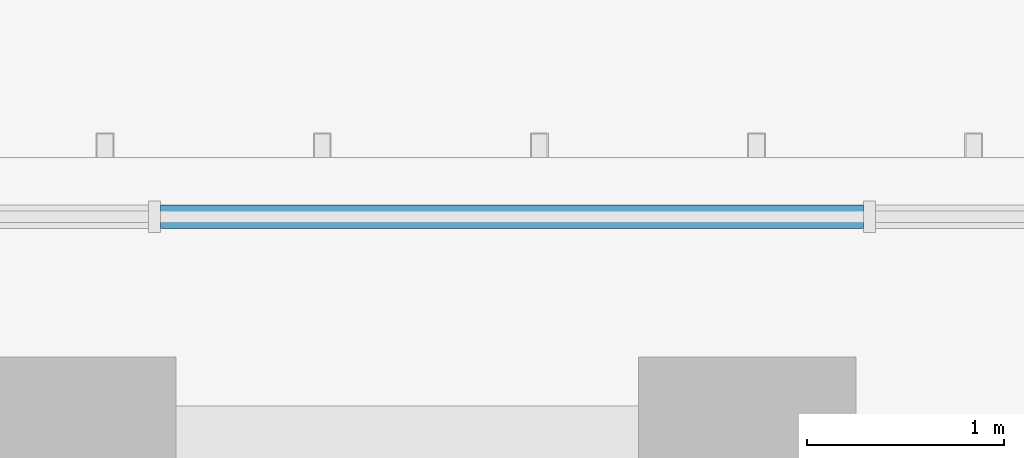
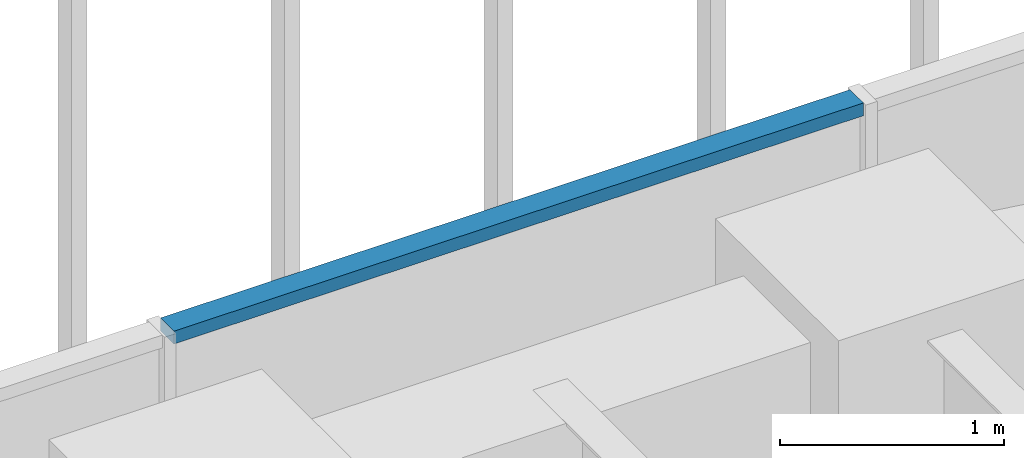
# One storey, part 101 of 127: 1 member, 1 element without a shape of its own.
"""IFC4 building model written with IfcOpenShell, lengths in metres."""

import ifcopenshell
import ifcopenshell.guid

model = None  # the IFC model being written
_history = None  # IfcOwnerHistory: only IFC2X3 demands one
_inside = {}  # id of a spatial element -> (the spatial element, [elements in it])
_under = {}  # id of a project, library or spatial element -> (it, [spatial elements below it])
_declared = {}  # id of a project -> (the project, [libraries it declares])
_typed = {}  # id of a type object -> (the type object, [elements of that type])
_made_of = {}  # id of a material, layer set ... -> (it, [elements and type objects made of it])


def new_model(schema):
    """Start an empty IFC model of exactly this schema.

    Asked for "IFC4X3", IfcOpenShell would pick the latest addendum, in which some entities
    have other attributes; the version numbers below select the first issue.
    IFC2X3 requires an IfcOwnerHistory on every rooted entity: one is made here for all.
    """
    global model, _history
    if schema == "IFC4X3":
        model = ifcopenshell.file(schema_version=(4, 3, 0, 0))
    else:
        model = ifcopenshell.file(schema=schema)
    _inside.clear()
    _under.clear()
    _declared.clear()
    _typed.clear()
    _made_of.clear()
    _history = None
    if model.schema == "IFC2X3":
        org = make("IfcOrganization", Name="unknown")
        user = make(
            "IfcPersonAndOrganization",
            ThePerson=make("IfcPerson", FamilyName="unknown"),
            TheOrganization=org,
        )
        app = make(
            "IfcApplication",
            ApplicationDeveloper=org,
            Version="unknown",
            ApplicationFullName="unknown",
            ApplicationIdentifier="unknown",
        )
        _history = make(
            "IfcOwnerHistory",
            OwningUser=user,
            OwningApplication=app,
            ChangeAction="ADDED",
            CreationDate=0,
        )
    return model


def make(cls, **values):
    """One entity of the class cls with the attributes given. An attribute that is None is left unset."""
    return model.create_entity(
        cls, **{name: value for name, value in values.items() if value is not None}
    )


def rooted(cls, **values):
    """An entity with a GlobalId (a new one), such as an element, a storey or a relation."""
    return make(cls, GlobalId=ifcopenshell.guid.new(), OwnerHistory=_history, **values)


def si_unit(unit_type, name, prefix=None):
    """IfcSIUnit, for example si_unit("LENGTHUNIT", "METRE", prefix="MILLI")."""
    return make("IfcSIUnit", UnitType=unit_type, Prefix=prefix, Name=name)


def assignment(units):
    """IfcUnitAssignment: the units of a project."""
    return None if units is None else make("IfcUnitAssignment", Units=units)


def point(xyz):
    """IfcCartesianPoint."""
    return None if xyz is None else make("IfcCartesianPoint", Coordinates=xyz)


def direction(xyz):
    """IfcDirection."""
    return None if xyz is None else make("IfcDirection", DirectionRatios=xyz)


def frame(location, z_axis=None, x_axis=None):
    """IfcAxis2Placement3D, a coordinate frame: its origin and axes. An axis left out is left unset."""
    return make(
        "IfcAxis2Placement3D",
        Location=point(location),
        Axis=direction(z_axis),
        RefDirection=direction(x_axis),
    )


def frame_2d(location, x_axis=None):
    """IfcAxis2Placement2D, a coordinate frame in the plane: its origin and x axis."""
    return make(
        "IfcAxis2Placement2D", Location=point(location), RefDirection=direction(x_axis)
    )


def origin():
    """The frame at (0, 0, 0) with its axes left unset."""
    return frame((0.0, 0.0, 0.0))


def origin_2d():
    """The frame at (0, 0) in the plane with its x axis left unset."""
    return frame_2d((0.0, 0.0))


def place(relative_to, where):
    """IfcLocalPlacement: puts the frame where relative to a parent placement (None: the world)."""
    return make(
        "IfcLocalPlacement", PlacementRelTo=relative_to, RelativePlacement=where
    )


def context(
    kind, dimensions, precision=None, world=None, true_north=None, identifier=None
):
    """IfcGeometricRepresentationContext, for example the 3D "Model" context."""
    return make(
        "IfcGeometricRepresentationContext",
        ContextIdentifier=identifier,
        ContextType=kind,
        CoordinateSpaceDimension=dimensions,
        Precision=precision,
        WorldCoordinateSystem=world,
        TrueNorth=true_north,
    )


def subcontext(parent, identifier, kind, view, scale=None):
    """IfcGeometricRepresentationSubContext, for example "Body" below "Model"."""
    return make(
        "IfcGeometricRepresentationSubContext",
        ContextIdentifier=identifier,
        ContextType=kind,
        ParentContext=parent,
        TargetScale=scale,
        TargetView=view,
    )


def project(units=None, contexts=None):
    """IfcProject with its units and contexts."""
    return rooted(
        "IfcProject",
        Name="project",
        RepresentationContexts=contexts,
        UnitsInContext=assignment(units),
    )


def spatial(cls, under=None, at=None, **own):
    """A site, building, storey or space (cls), placed at a placement, below another one or the project."""
    s = rooted(cls, ObjectPlacement=at, **own)
    if under is not None:
        _under.setdefault(under.id(), (under, []))[1].append(s)
    return s


def profile(cls, at=None, kind="AREA", **sizes):
    """A parametric profile (cls). Its sizes go by their IFC names, for example OverallWidth=200.0."""
    return make(cls, ProfileType=kind, Position=at, **sizes)


def rectangle(**sizes):
    """IfcRectangleProfileDef."""
    return profile("IfcRectangleProfileDef", **sizes)


def extrude(swept, where, along, depth):
    """IfcExtrudedAreaSolid: the profile swept, set in the frame where, extruded along a direction by depth."""
    return make(
        "IfcExtrudedAreaSolid",
        SweptArea=swept,
        Position=where,
        ExtrudedDirection=direction(along),
        Depth=depth,
    )


def shape(context_of_items, identifier, shape_type, items):
    """IfcShapeRepresentation: the items that make up one representation, for example the "Body"."""
    return make(
        "IfcShapeRepresentation",
        ContextOfItems=context_of_items,
        RepresentationIdentifier=identifier,
        RepresentationType=shape_type,
        Items=items,
    )


def material(Name=None, Category=None):
    """IfcMaterial."""
    return make("IfcMaterial", Name=Name, Category=Category)


def material_profile(
    of_material, cross_section, Name=None, Category=None, Priority=None
):
    """IfcMaterialProfile: a cross section and its material."""
    return make(
        "IfcMaterialProfile",
        Name=Name,
        Material=of_material,
        Profile=cross_section,
        Priority=Priority,
        Category=Category,
    )


def profile_set(profiles, Name=None, composite=None):
    """IfcMaterialProfileSet."""
    return make(
        "IfcMaterialProfileSet",
        Name=Name,
        MaterialProfiles=profiles,
        CompositeProfile=composite,
    )


def made_of(thing, what):
    """Note that an element or type object is made of a material, layer set ...; save() writes the relation."""
    if what is not None:
        _made_of.setdefault(what.id(), (what, []))[1].append(thing)
    return thing


def type_object(cls, material=None, **own):
    """A type object (cls), such as IfcWallType, which elements share."""
    return made_of(rooted(cls, **own), material)


def element(
    cls,
    number,
    at=None,
    inside=None,
    cuts=None,
    type_object=None,
    material=None,
    context=None,
    identifier="Body",
    shape_type=None,
    held_by="IfcProductDefinitionShape",
    body=None,
    shapes=None,
    **own,
):
    """One element of the class cls, such as IfcWall. Its Tag is "e" and its number.

    at: its placement. inside: the storey or other place that contains it. cuts: it is an
    opening in that element (IfcRelVoidsElement). A single representation is given by context,
    identifier, shape_type and body (its items); several are given by shapes. held_by: the class
    of the entity that holds the representations. save() writes the other relations.
    """
    e = rooted(cls, Tag="e%d" % number, ObjectPlacement=at, **own)
    if body is not None:
        shapes = [shape(context, identifier, shape_type, body)]
    if shapes is not None:
        e.Representation = make(held_by, Representations=shapes)
    if inside is not None:
        _inside.setdefault(inside.id(), (inside, []))[1].append(e)
    if cuts is not None:
        rooted(
            "IfcRelVoidsElement", RelatingBuildingElement=cuts, RelatedOpeningElement=e
        )
    if type_object is not None:
        _typed.setdefault(type_object.id(), (type_object, []))[1].append(e)
    return made_of(e, material)


def aggregate(whole, parts):
    """IfcRelAggregates: a whole, such as a stair, and the parts it consists of."""
    return rooted("IfcRelAggregates", RelatingObject=whole, RelatedObjects=parts)


def save(model, path):
    """Write the relations noted so far, then the file.

    IfcRelAggregates (storeys below a building ...), IfcRelContainedInSpatialStructure (elements
    in a storey), IfcRelDefinesByType, IfcRelAssociatesMaterial and IfcRelDeclares: one each for
    every whole, place, type object, material and project.
    """
    for whole, parts in _under.values():
        aggregate(whole, parts)
    for where, things in _inside.values():
        rooted(
            "IfcRelContainedInSpatialStructure",
            RelatedElements=things,
            RelatingStructure=where,
        )
    for kind, things in _typed.values():
        rooted("IfcRelDefinesByType", RelatedObjects=things, RelatingType=kind)
    for what, things in _made_of.values():
        rooted("IfcRelAssociatesMaterial", RelatedObjects=things, RelatingMaterial=what)
    for by, libraries in _declared.values():
        rooted("IfcRelDeclares", RelatingContext=by, RelatedDefinitions=libraries)
    model.write(path)


model = new_model("IFC4")

# Units and contexts
model_context = context("Model", 3, precision=1e-05, world=origin(), true_north=direction((0.0, 1.0)))
body_context = subcontext(model_context, "Body", "Model", "MODEL_VIEW")
ifc_project = project(units=[si_unit("LENGTHUNIT", "METRE"), si_unit("AREAUNIT", "SQUARE_METRE"), si_unit("VOLUMEUNIT", "CUBIC_METRE"), si_unit("PLANEANGLEUNIT", "RADIAN"), si_unit("MASSUNIT", "GRAM", prefix="KILO")], contexts=[model_context])

# Site, building, storey
site_placement = place(None, origin())
site = spatial("IfcSite", under=ifc_project, at=site_placement, CompositionType="ELEMENT")
building_placement = place(site_placement, origin())
building = spatial("IfcBuilding", under=site, at=building_placement, Name="Sandreach Pilgrim Tower", CompositionType="ELEMENT")
storey_placement = place(building_placement, frame((0.0, 0.0, 257.0)))
storey = spatial("IfcBuildingStorey", under=building, at=storey_placement, Name="L64", CompositionType="ELEMENT", Elevation=257.0)

# Curtain wall, member
ifc_material_1 = material(Name="Aluminium framed curtain wall", Category="aluminium")
curtain_wall_type = type_object("IfcCurtainWallType", Name="Suite tower curtain wall", PredefinedType="NOTDEFINED", material=ifc_material_1)
curtain_wall_placement = place(storey_placement, origin())
curtain_wall = element("IfcCurtainWall", 1, at=curtain_wall_placement, inside=storey, type_object=curtain_wall_type, Name="CW-4 L64 N", PredefinedType="NOTDEFINED")
ifc_material_2 = material(Name="Aluminium extrusion", Category="aluminium")
ifc_material_profile = material_profile(ifc_material_2, rectangle(XDim=0.1201171875, YDim=0.070068359375, at=origin_2d()), Name="CW-4T 120X70")
ifc_profile_set = profile_set([ifc_material_profile], Name="Aluminium extrusion")
member_type = type_object("IfcMemberType", Name="CW-4 transom", PredefinedType="USERDEFINED", material=ifc_profile_set)
member_placement = place(storey_placement, frame((9.084716796875, 19.826416015625, 3.60498046875), z_axis=(1.0, 0.0, 0.0), x_axis=(0.0, 1.0, 0.0)))
member = element("IfcMember", 2, at=member_placement, type_object=member_type, Name="CW-4 head transom 8", ObjectType="TRANSOM", PredefinedType="USERDEFINED", context=body_context, shape_type="SweptSolid", body=[
    extrude(rectangle(XDim=0.1201171875, YDim=0.070068359375, at=origin_2d()), origin(), (0.0, 0.0, 1.0), 3.561767578125),
])
aggregate(curtain_wall, [member])

save(model, "model.ifc")
